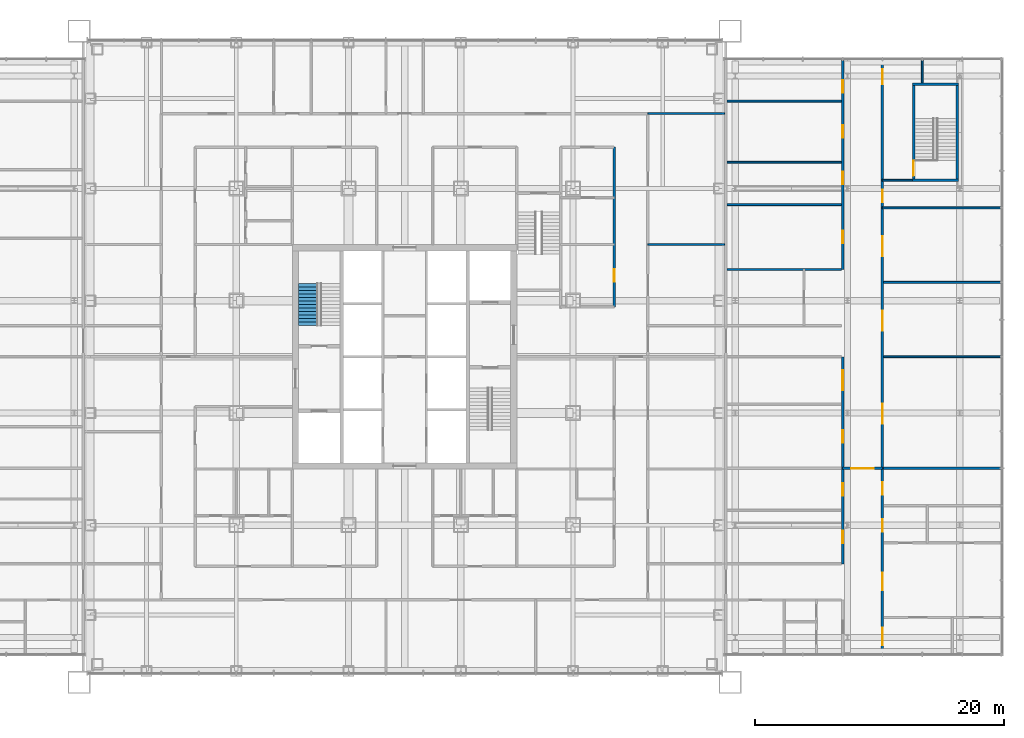
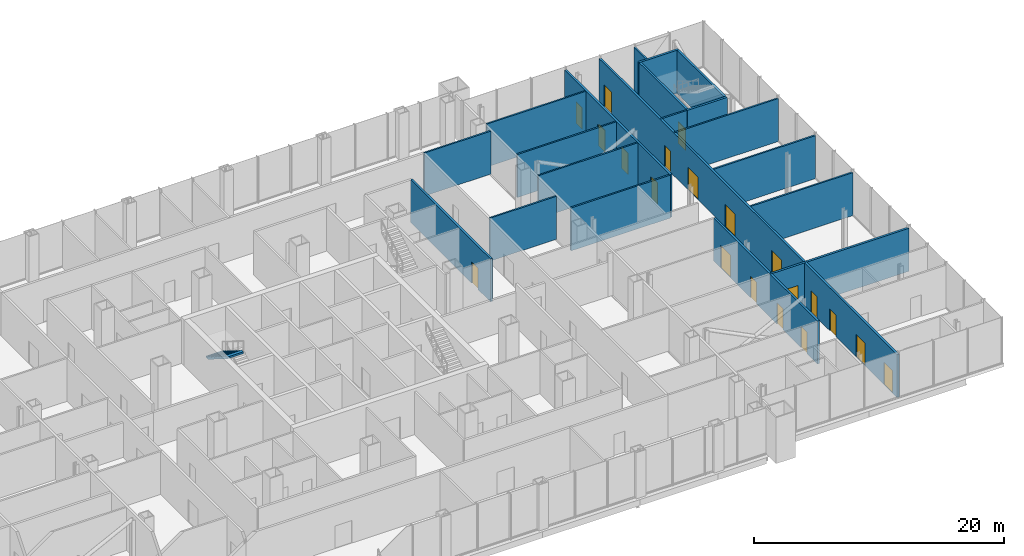
# One storey, part 20 of 25: 21 walls, 20 doors, 1 stair flight, 20 openings, 1 element without a shape of its own.
"""IFC4 building model written with IfcOpenShell, lengths in metres."""

from ifc_helpers import new_model, si_unit, direction, frame, frame_2d, origin, place, context, subcontext, project, spatial, polyline, rectangle, outline, extrude, material, layer, layer_set, type_object, element, fill, aggregate, save


model = new_model("IFC4")

# Units and contexts
model_context = context("Model", 3, precision=1e-05, world=origin(), true_north=direction((0.0, 1.0)))
body_context = subcontext(model_context, "Body", "Model", "MODEL_VIEW")
ifc_project = project(units=[si_unit("LENGTHUNIT", "METRE"), si_unit("AREAUNIT", "SQUARE_METRE"), si_unit("VOLUMEUNIT", "CUBIC_METRE"), si_unit("PLANEANGLEUNIT", "RADIAN"), si_unit("MASSUNIT", "GRAM", prefix="KILO")], contexts=[model_context])

# Site, building, storey
site_placement = place(None, origin())
site = spatial("IfcSite", under=ifc_project, at=site_placement, CompositionType="ELEMENT")
building_placement = place(site_placement, origin())
building = spatial("IfcBuilding", under=site, at=building_placement, Name="Malebo Sky Hospital", CompositionType="ELEMENT")
storey_placement = place(building_placement, frame((0.0, 0.0, 16.5)))
storey = spatial("IfcBuildingStorey", under=building, at=storey_placement, Name="L03", CompositionType="ELEMENT", Elevation=16.5)

# Wall, opening, door
ifc_material_1 = material(Name="Gypsum board on steel studs", Category="steel")
ifc_layer_1 = layer(ifc_material_1, 0.199951171875)
ifc_layer_set_1 = layer_set([ifc_layer_1], Name="CORRIDOR WALL 200")
wall_type_1 = type_object("IfcWallType", Name="CORRIDOR WALL 200", PredefinedType="PARTITIONING", material=ifc_layer_set_1)
wall_1_placement = place(storey_placement, frame((76.800048828125, 78.800048828125, 0.0), z_axis=(0.0, 0.0, 1.0), x_axis=(0.0, -1.0, 0.0)))
wall_1 = element("IfcWall", 1, at=wall_1_placement, inside=storey, type_object=wall_type_1, Name="Corridor Wall 200 ECI1", PredefinedType="PARTITIONING", context=body_context, shape_type="SweptSolid", body=[
    extrude(rectangle(XDim=12.800048828125, YDim=0.199951171875, at=frame_2d((6.39990234375, 0.0))), origin(), (0.0, 0.0, 1.0), 4.199951171875),
])
opening_1_placement = place(wall_1_placement, frame((9.800048828125, 0.0, 0.0)))
opening_1 = element("IfcOpeningElement", 2, at=opening_1_placement, cuts=wall_1, Name="Opening D03", PredefinedType="OPENING", context=body_context, shape_type="SweptSolid", body=[
    extrude(rectangle(XDim=1.0, YDim=2.10009765625, at=frame_2d((0.5, 1.050048828125))), frame((0.0, 0.10986328125, 0.0), z_axis=(0.0, -1.0, 0.0), x_axis=(1.0, 0.0, 0.0)), (0.0, 0.0, 1.0), 0.219970703125),
])
ifc_material_2 = material(Name="Hardwood-faced door leaf in steel frame", Category="steel")
door_type_1 = type_object("IfcDoorType", Name="ROOM DOOR 1000", OperationType="SINGLE_SWING_LEFT", PredefinedType="DOOR", material=ifc_material_2)
door_1_placement = place(opening_1_placement, origin())
door_1 = element("IfcDoor", 3, at=door_1_placement, inside=storey, type_object=door_type_1, Name="Linen store door", OperationType="SINGLE_SWING_LEFT", OverallHeight=2.10009765625, OverallWidth=1.0, PredefinedType="DOOR", context=body_context, shape_type="SweptSolid", body=[
    extrude(rectangle(XDim=1.0, YDim=2.10009765625, at=frame_2d((0.5, 1.050048828125))), frame((0.0, 0.02490234375, 0.0), z_axis=(0.0, -1.0, 0.0), x_axis=(1.0, 0.0, 0.0)), (0.0, 0.0, 1.0), 0.050048828125),
])
fill(opening_1, door_1)

# Wall, openings, doors
wall_2_placement = place(storey_placement, frame((98.306884765625, 38.14990234375, 0.0), z_axis=(0.0, 0.0, 1.0), x_axis=(0.0, 1.0, 0.0)))
wall_2 = element("IfcWall", 4, at=wall_2_placement, inside=storey, type_object=wall_type_1, Name="Corridor Wall 200 EWC1", PredefinedType="PARTITIONING", context=body_context, shape_type="SweptSolid", body=[
    extrude(rectangle(XDim=47.7001953125, YDim=0.199951171875, at=frame_2d((23.85009765625, 0.0))), origin(), (0.0, 0.0, 1.0), 4.199951171875),
])
opening_2_placement = place(wall_2_placement, frame((45.699951171875, 0.0, 0.0)))
opening_2 = element("IfcOpeningElement", 5, at=opening_2_placement, cuts=wall_2, Name="Opening D08", PredefinedType="OPENING", context=body_context, shape_type="SweptSolid", body=[
    extrude(rectangle(XDim=1.199951171875, YDim=2.10009765625, at=frame_2d((0.60009765625, 1.050048828125))), frame((0.0, 0.10986328125, 0.0), z_axis=(0.0, -1.0, 0.0), x_axis=(1.0, 0.0, 0.0)), (0.0, 0.0, 1.0), 0.219970703125),
])
opening_3_placement = place(wall_2_placement, frame((36.24365234375, 0.0, 0.0)))
opening_3 = element("IfcOpeningElement", 6, at=opening_3_placement, cuts=wall_2, Name="Opening D03", PredefinedType="OPENING", context=body_context, shape_type="SweptSolid", body=[
    extrude(rectangle(XDim=1.0, YDim=2.10009765625, at=frame_2d((0.5, 1.050048828125))), frame((0.0, 0.10986328125, 0.0), z_axis=(0.0, -1.0, 0.0), x_axis=(1.0, 0.0, 0.0)), (0.0, 0.0, 1.0), 0.219970703125),
])
opening_4_placement = place(wall_2_placement, frame((0.729736328125, 0.0, 0.0)))
opening_4 = element("IfcOpeningElement", 7, at=opening_4_placement, cuts=wall_2, Name="Opening D25", PredefinedType="OPENING", context=body_context, shape_type="SweptSolid", body=[
    extrude(rectangle(XDim=1.39990234375, YDim=2.199951171875, at=frame_2d((0.699951171875, 1.10009765625))), frame((0.0, 0.10986328125, 0.0), z_axis=(0.0, -1.0, 0.0), x_axis=(1.0, 0.0, 0.0)), (0.0, 0.0, 1.0), 0.219970703125),
])
opening_5_placement = place(wall_2_placement, frame((5.143798828125, 0.0, 0.0)))
opening_5 = element("IfcOpeningElement", 8, at=opening_5_placement, cuts=wall_2, Name="Opening D25", PredefinedType="OPENING", context=body_context, shape_type="SweptSolid", body=[
    extrude(rectangle(XDim=1.39990234375, YDim=2.199951171875, at=frame_2d((0.699951171875, 1.10009765625))), frame((0.0, 0.10986328125, 0.0), z_axis=(0.0, -1.0, 0.0), x_axis=(1.0, 0.0, 0.0)), (0.0, 0.0, 1.0), 0.219970703125),
])
opening_6_placement = place(wall_2_placement, frame((9.8203125, 0.0, 0.0)))
opening_6 = element("IfcOpeningElement", 9, at=opening_6_placement, cuts=wall_2, Name="Opening D03", PredefinedType="OPENING", context=body_context, shape_type="SweptSolid", body=[
    extrude(rectangle(XDim=1.0, YDim=2.10009765625, at=frame_2d((0.5, 1.050048828125))), frame((0.0, 0.10986328125, 0.0), z_axis=(0.0, -1.0, 0.0), x_axis=(1.0, 0.0, 0.0)), (0.0, 0.0, 1.0), 0.219970703125),
])
opening_7_placement = place(wall_2_placement, frame((12.8046875, 0.0, 0.0)))
opening_7 = element("IfcOpeningElement", 10, at=opening_7_placement, cuts=wall_2, Name="Opening D03", PredefinedType="OPENING", context=body_context, shape_type="SweptSolid", body=[
    extrude(rectangle(XDim=1.0, YDim=2.10009765625, at=frame_2d((0.5, 1.050048828125))), frame((0.0, 0.10986328125, 0.0), z_axis=(0.0, -1.0, 0.0), x_axis=(1.0, 0.0, 0.0)), (0.0, 0.0, 1.0), 0.219970703125),
])
opening_8_placement = place(wall_2_placement, frame((18.473388671875, 0.0, 0.0)))
opening_8 = element("IfcOpeningElement", 11, at=opening_8_placement, cuts=wall_2, Name="Opening D14", PredefinedType="OPENING", context=body_context, shape_type="SweptSolid", body=[
    extrude(rectangle(XDim=1.60009765625, YDim=2.199951171875, at=frame_2d((0.800048828125, 1.10009765625))), frame((0.0, 0.10986328125, 0.0), z_axis=(0.0, -1.0, 0.0), x_axis=(1.0, 0.0, 0.0)), (0.0, 0.0, 1.0), 0.219970703125),
])
opening_9_placement = place(wall_2_placement, frame((25.934326171875, 0.0, 0.0)))
opening_9 = element("IfcOpeningElement", 12, at=opening_9_placement, cuts=wall_2, Name="Opening D14", PredefinedType="OPENING", context=body_context, shape_type="SweptSolid", body=[
    extrude(rectangle(XDim=1.60009765625, YDim=2.199951171875, at=frame_2d((0.800048828125, 1.10009765625))), frame((0.0, 0.10986328125, 0.0), z_axis=(0.0, -1.0, 0.0), x_axis=(1.0, 0.0, 0.0)), (0.0, 0.0, 1.0), 0.219970703125),
])
opening_10_placement = place(wall_2_placement, frame((31.9033203125, 0.0, 0.0)))
opening_10 = element("IfcOpeningElement", 13, at=opening_10_placement, cuts=wall_2, Name="Opening D14", PredefinedType="OPENING", context=body_context, shape_type="SweptSolid", body=[
    extrude(rectangle(XDim=1.60009765625, YDim=2.199951171875, at=frame_2d((0.800048828125, 1.10009765625))), frame((0.0, 0.10986328125, 0.0), z_axis=(0.0, -1.0, 0.0), x_axis=(1.0, 0.0, 0.0)), (0.0, 0.0, 1.0), 0.219970703125),
])
door_type_2 = type_object("IfcDoorType", Name="BED DOOR PAIR 1400", OperationType="DOUBLE_DOOR_SINGLE_SWING", PredefinedType="DOOR", material=ifc_material_2)
door_2_placement = place(opening_4_placement, origin())
door_2 = element("IfcDoor", 14, at=door_2_placement, inside=storey, type_object=door_type_2, Name="Anaesthetic room door", OperationType="DOUBLE_DOOR_SINGLE_SWING", OverallHeight=2.199951171875, OverallWidth=1.39990234375, PredefinedType="DOOR", context=body_context, shape_type="SweptSolid", body=[
    extrude(rectangle(XDim=1.39990234375, YDim=2.199951171875, at=frame_2d((0.699951171875, 1.10009765625))), frame((0.0, 0.02490234375, 0.0), z_axis=(0.0, -1.0, 0.0), x_axis=(1.0, 0.0, 0.0)), (0.0, 0.0, 1.0), 0.050048828125),
])
fill(opening_4, door_2)
door_3_placement = place(opening_5_placement, origin())
door_3 = element("IfcDoor", 15, at=door_3_placement, inside=storey, type_object=door_type_2, Name="Day surgery theatre door", OperationType="DOUBLE_DOOR_SINGLE_SWING", OverallHeight=2.199951171875, OverallWidth=1.39990234375, PredefinedType="DOOR", context=body_context, shape_type="SweptSolid", body=[
    extrude(rectangle(XDim=1.39990234375, YDim=2.199951171875, at=frame_2d((0.699951171875, 1.10009765625))), frame((0.0, 0.02490234375, 0.0), z_axis=(0.0, -1.0, 0.0), x_axis=(1.0, 0.0, 0.0)), (0.0, 0.0, 1.0), 0.050048828125),
])
fill(opening_5, door_3)
door_type_3 = type_object("IfcDoorType", Name="DEPARTMENT DOOR PAIR 1600", OperationType="DOUBLE_DOOR_DOUBLE_SWING", PredefinedType="DOOR", material=ifc_material_2)
door_4_placement = place(opening_8_placement, origin())
door_4 = element("IfcDoor", 16, at=door_4_placement, inside=storey, type_object=door_type_3, Name="Day surgery recovery door", OperationType="DOUBLE_DOOR_DOUBLE_SWING", OverallHeight=2.199951171875, OverallWidth=1.60009765625, PredefinedType="DOOR", context=body_context, shape_type="SweptSolid", body=[
    extrude(rectangle(XDim=1.60009765625, YDim=2.199951171875, at=frame_2d((0.800048828125, 1.10009765625))), frame((0.0, 0.02490234375, 0.0), z_axis=(0.0, -1.0, 0.0), x_axis=(1.0, 0.0, 0.0)), (0.0, 0.0, 1.0), 0.050048828125),
])
fill(opening_8, door_4)
door_5_placement = place(opening_9_placement, origin())
door_5 = element("IfcDoor", 17, at=door_5_placement, inside=storey, type_object=door_type_3, Name="Second-stage recovery door", OperationType="DOUBLE_DOOR_DOUBLE_SWING", OverallHeight=2.199951171875, OverallWidth=1.60009765625, PredefinedType="DOOR", context=body_context, shape_type="SweptSolid", body=[
    extrude(rectangle(XDim=1.60009765625, YDim=2.199951171875, at=frame_2d((0.800048828125, 1.10009765625))), frame((0.0, 0.02490234375, 0.0), z_axis=(0.0, -1.0, 0.0), x_axis=(1.0, 0.0, 0.0)), (0.0, 0.0, 1.0), 0.050048828125),
])
fill(opening_9, door_5)
door_6_placement = place(opening_10_placement, origin())
door_6 = element("IfcDoor", 18, at=door_6_placement, inside=storey, type_object=door_type_3, Name="Discharge lounge door", OperationType="DOUBLE_DOOR_DOUBLE_SWING", OverallHeight=2.199951171875, OverallWidth=1.60009765625, PredefinedType="DOOR", context=body_context, shape_type="SweptSolid", body=[
    extrude(rectangle(XDim=1.60009765625, YDim=2.199951171875, at=frame_2d((0.800048828125, 1.10009765625))), frame((0.0, 0.02490234375, 0.0), z_axis=(0.0, -1.0, 0.0), x_axis=(1.0, 0.0, 0.0)), (0.0, 0.0, 1.0), 0.050048828125),
])
fill(opening_10, door_6)
door_7_placement = place(opening_3_placement, origin())
door_7 = element("IfcDoor", 19, at=door_7_placement, inside=storey, type_object=door_type_1, Name="Day surgery equipment store door", OperationType="SINGLE_SWING_LEFT", OverallHeight=2.10009765625, OverallWidth=1.0, PredefinedType="DOOR", context=body_context, shape_type="SweptSolid", body=[
    extrude(rectangle(XDim=1.0, YDim=2.10009765625, at=frame_2d((0.5, 1.050048828125))), frame((0.0, 0.02490234375, 0.0), z_axis=(0.0, -1.0, 0.0), x_axis=(1.0, 0.0, 0.0)), (0.0, 0.0, 1.0), 0.050048828125),
])
fill(opening_3, door_7)
door_8_placement = place(opening_6_placement, origin())
door_8 = element("IfcDoor", 20, at=door_8_placement, inside=storey, type_object=door_type_1, Name="Scrub room door", OperationType="SINGLE_SWING_LEFT", OverallHeight=2.10009765625, OverallWidth=1.0, PredefinedType="DOOR", context=body_context, shape_type="SweptSolid", body=[
    extrude(rectangle(XDim=1.0, YDim=2.10009765625, at=frame_2d((0.5, 1.050048828125))), frame((0.0, 0.02490234375, 0.0), z_axis=(0.0, -1.0, 0.0), x_axis=(1.0, 0.0, 0.0)), (0.0, 0.0, 1.0), 0.050048828125),
])
fill(opening_6, door_8)
door_9_placement = place(opening_7_placement, origin())
door_9 = element("IfcDoor", 21, at=door_9_placement, inside=storey, type_object=door_type_1, Name="Patient changing room door", OperationType="SINGLE_SWING_LEFT", OverallHeight=2.10009765625, OverallWidth=1.0, PredefinedType="DOOR", context=body_context, shape_type="SweptSolid", body=[
    extrude(rectangle(XDim=1.0, YDim=2.10009765625, at=frame_2d((0.5, 1.050048828125))), frame((0.0, 0.02490234375, 0.0), z_axis=(0.0, -1.0, 0.0), x_axis=(1.0, 0.0, 0.0)), (0.0, 0.0, 1.0), 0.050048828125),
])
fill(opening_7, door_9)
door_type_4 = type_object("IfcDoorType", Name="STAIR DOOR 1200", OperationType="SINGLE_SWING_LEFT", PredefinedType="DOOR", material=ifc_material_2)
door_10_placement = place(opening_2_placement, origin())
door_10 = element("IfcDoor", 22, at=door_10_placement, inside=storey, type_object=door_type_4, Name="Stair lobby door", OperationType="SINGLE_SWING_RIGHT", OverallHeight=2.10009765625, OverallWidth=1.199951171875, PredefinedType="DOOR", context=body_context, shape_type="SweptSolid", body=[
    extrude(rectangle(XDim=1.199951171875, YDim=2.10009765625, at=frame_2d((0.60009765625, 1.050048828125))), frame((0.0, 0.02490234375, 0.0), z_axis=(0.0, -1.0, 0.0), x_axis=(1.0, 0.0, 0.0)), (0.0, 0.0, 1.0), 0.050048828125),
])
fill(opening_2, door_10)

wall_3_placement = place(storey_placement, frame((95.117919921875, 45.39990234375, 0.0), z_axis=(0.0, 0.0, 1.0), x_axis=(0.0, 1.0, 0.0)))
wall_3 = element("IfcWall", 23, at=wall_3_placement, inside=storey, type_object=wall_type_1, Name="Corridor Wall 200 EWC2B", PredefinedType="PARTITIONING", context=body_context, shape_type="SweptSolid", body=[
    extrude(rectangle(XDim=16.60009765625, YDim=0.199951171875, at=frame_2d((8.300048828125, 0.0))), origin(), (0.0, 0.0, 1.0), 4.199951171875),
])
opening_11_placement = place(wall_3_placement, frame((1.64990234375, 0.0, 0.0)))
opening_11 = element("IfcOpeningElement", 24, at=opening_11_placement, cuts=wall_3, Name="Opening D03", PredefinedType="OPENING", context=body_context, shape_type="SweptSolid", body=[
    extrude(rectangle(XDim=1.0, YDim=2.10009765625, at=frame_2d((0.5, 1.050048828125))), frame((0.0, 0.10986328125, 0.0), z_axis=(0.0, -1.0, 0.0), x_axis=(1.0, 0.0, 0.0)), (0.0, 0.0, 1.0), 0.219970703125),
])
opening_12_placement = place(wall_3_placement, frame((5.473388671875, 0.0, 0.0)))
opening_12 = element("IfcOpeningElement", 25, at=opening_12_placement, cuts=wall_3, Name="Opening D03", PredefinedType="OPENING", context=body_context, shape_type="SweptSolid", body=[
    extrude(rectangle(XDim=1.0, YDim=2.10009765625, at=frame_2d((0.5, 1.050048828125))), frame((0.0, 0.10986328125, 0.0), z_axis=(0.0, -1.0, 0.0), x_axis=(1.0, 0.0, 0.0)), (0.0, 0.0, 1.0), 0.219970703125),
])
opening_13_placement = place(wall_3_placement, frame((9.723388671875, 0.0, 0.0)))
opening_13 = element("IfcOpeningElement", 26, at=opening_13_placement, cuts=wall_3, Name="Opening D03", PredefinedType="OPENING", context=body_context, shape_type="SweptSolid", body=[
    extrude(rectangle(XDim=1.0, YDim=2.10009765625, at=frame_2d((0.5, 1.050048828125))), frame((0.0, 0.10986328125, 0.0), z_axis=(0.0, -1.0, 0.0), x_axis=(1.0, 0.0, 0.0)), (0.0, 0.0, 1.0), 0.219970703125),
])
opening_14_placement = place(wall_3_placement, frame((13.89990234375, 0.0, 0.0)))
opening_14 = element("IfcOpeningElement", 27, at=opening_14_placement, cuts=wall_3, Name="Opening D14", PredefinedType="OPENING", context=body_context, shape_type="SweptSolid", body=[
    extrude(rectangle(XDim=1.60009765625, YDim=2.199951171875, at=frame_2d((0.800048828125, 1.10009765625))), frame((0.0, 0.10986328125, 0.0), z_axis=(0.0, -1.0, 0.0), x_axis=(1.0, 0.0, 0.0)), (0.0, 0.0, 1.0), 0.219970703125),
])
door_11_placement = place(opening_14_placement, origin())
door_11 = element("IfcDoor", 28, at=door_11_placement, inside=storey, type_object=door_type_3, Name="Day surgery reception door", OperationType="DOUBLE_DOOR_DOUBLE_SWING", OverallHeight=2.199951171875, OverallWidth=1.60009765625, PredefinedType="DOOR", context=body_context, shape_type="SweptSolid", body=[
    extrude(rectangle(XDim=1.60009765625, YDim=2.199951171875, at=frame_2d((0.800048828125, 1.10009765625))), frame((0.0, 0.02490234375, 0.0), z_axis=(0.0, -1.0, 0.0), x_axis=(1.0, 0.0, 0.0)), (0.0, 0.0, 1.0), 0.050048828125),
])
fill(opening_14, door_11)
door_12_placement = place(opening_11_placement, origin())
door_12 = element("IfcDoor", 29, at=door_12_placement, inside=storey, type_object=door_type_1, Name="Day surgery admission room door", OperationType="SINGLE_SWING_LEFT", OverallHeight=2.10009765625, OverallWidth=1.0, PredefinedType="DOOR", context=body_context, shape_type="SweptSolid", body=[
    extrude(rectangle(XDim=1.0, YDim=2.10009765625, at=frame_2d((0.5, 1.050048828125))), frame((0.0, 0.02490234375, 0.0), z_axis=(0.0, -1.0, 0.0), x_axis=(1.0, 0.0, 0.0)), (0.0, 0.0, 1.0), 0.050048828125),
])
fill(opening_11, door_12)
door_13_placement = place(opening_12_placement, origin())
door_13 = element("IfcDoor", 30, at=door_13_placement, inside=storey, type_object=door_type_1, Name="Day surgery admission room door", OperationType="SINGLE_SWING_RIGHT", OverallHeight=2.10009765625, OverallWidth=1.0, PredefinedType="DOOR", context=body_context, shape_type="SweptSolid", body=[
    extrude(rectangle(XDim=1.0, YDim=2.10009765625, at=frame_2d((0.5, 1.050048828125))), frame((0.0, 0.02490234375, 0.0), z_axis=(0.0, -1.0, 0.0), x_axis=(1.0, 0.0, 0.0)), (0.0, 0.0, 1.0), 0.050048828125),
])
fill(opening_12, door_13)
door_14_placement = place(opening_13_placement, origin())
door_14 = element("IfcDoor", 31, at=door_14_placement, inside=storey, type_object=door_type_1, Name="Day surgery store door", OperationType="SINGLE_SWING_LEFT", OverallHeight=2.10009765625, OverallWidth=1.0, PredefinedType="DOOR", context=body_context, shape_type="SweptSolid", body=[
    extrude(rectangle(XDim=1.0, YDim=2.10009765625, at=frame_2d((0.5, 1.050048828125))), frame((0.0, 0.02490234375, 0.0), z_axis=(0.0, -1.0, 0.0), x_axis=(1.0, 0.0, 0.0)), (0.0, 0.0, 1.0), 0.050048828125),
])
fill(opening_13, door_14)

wall_4_placement = place(storey_placement, frame((95.117919921875, 69.0, 0.0), z_axis=(0.0, 0.0, 1.0), x_axis=(0.0, 1.0, 0.0)))
wall_4 = element("IfcWall", 32, at=wall_4_placement, inside=storey, type_object=wall_type_1, Name="Corridor Wall 200 EWC2C", PredefinedType="PARTITIONING", context=body_context, shape_type="SweptSolid", body=[
    extrude(rectangle(XDim=16.85009765625, YDim=0.199951171875, at=frame_2d((8.425048828125, 0.0))), origin(), (0.0, 0.0, 1.0), 4.199951171875),
])
opening_15_placement = place(wall_4_placement, frame((2.10009765625, 0.0, 0.0)))
opening_15 = element("IfcOpeningElement", 33, at=opening_15_placement, cuts=wall_4, Name="Opening D03", PredefinedType="OPENING", context=body_context, shape_type="SweptSolid", body=[
    extrude(rectangle(XDim=1.0, YDim=2.10009765625, at=frame_2d((0.5, 1.050048828125))), frame((0.0, 0.10986328125, 0.0), z_axis=(0.0, -1.0, 0.0), x_axis=(1.0, 0.0, 0.0)), (0.0, 0.0, 1.0), 0.219970703125),
])
opening_16_placement = place(wall_4_placement, frame((6.85009765625, 0.0, 0.0)))
opening_16 = element("IfcOpeningElement", 34, at=opening_16_placement, cuts=wall_4, Name="Opening D03", PredefinedType="OPENING", context=body_context, shape_type="SweptSolid", body=[
    extrude(rectangle(XDim=1.0, YDim=2.10009765625, at=frame_2d((0.5, 1.050048828125))), frame((0.0, 0.10986328125, 0.0), z_axis=(0.0, -1.0, 0.0), x_axis=(1.0, 0.0, 0.0)), (0.0, 0.0, 1.0), 0.219970703125),
])
opening_17_placement = place(wall_4_placement, frame((10.550048828125, 0.0, 0.0)))
opening_17 = element("IfcOpeningElement", 35, at=opening_17_placement, cuts=wall_4, Name="Opening D03", PredefinedType="OPENING", context=body_context, shape_type="SweptSolid", body=[
    extrude(rectangle(XDim=1.0, YDim=2.10009765625, at=frame_2d((0.5, 1.050048828125))), frame((0.0, 0.10986328125, 0.0), z_axis=(0.0, -1.0, 0.0), x_axis=(1.0, 0.0, 0.0)), (0.0, 0.0, 1.0), 0.219970703125),
])
opening_18_placement = place(wall_4_placement, frame((14.175048828125, 0.0, 0.0)))
opening_18 = element("IfcOpeningElement", 36, at=opening_18_placement, cuts=wall_4, Name="Opening D03", PredefinedType="OPENING", context=body_context, shape_type="SweptSolid", body=[
    extrude(rectangle(XDim=1.0, YDim=2.10009765625, at=frame_2d((0.5, 1.050048828125))), frame((0.0, 0.10986328125, 0.0), z_axis=(0.0, -1.0, 0.0), x_axis=(1.0, 0.0, 0.0)), (0.0, 0.0, 1.0), 0.219970703125),
])
door_15_placement = place(opening_15_placement, origin())
door_15 = element("IfcDoor", 37, at=door_15_placement, inside=storey, type_object=door_type_1, Name="Day surgery consulting room door", OperationType="SINGLE_SWING_LEFT", OverallHeight=2.10009765625, OverallWidth=1.0, PredefinedType="DOOR", context=body_context, shape_type="SweptSolid", body=[
    extrude(rectangle(XDim=1.0, YDim=2.10009765625, at=frame_2d((0.5, 1.050048828125))), frame((0.0, 0.02490234375, 0.0), z_axis=(0.0, -1.0, 0.0), x_axis=(1.0, 0.0, 0.0)), (0.0, 0.0, 1.0), 0.050048828125),
])
fill(opening_15, door_15)
door_16_placement = place(opening_16_placement, origin())
door_16 = element("IfcDoor", 38, at=door_16_placement, inside=storey, type_object=door_type_1, Name="Clean utility room door", OperationType="SINGLE_SWING_RIGHT", OverallHeight=2.10009765625, OverallWidth=1.0, PredefinedType="DOOR", context=body_context, shape_type="SweptSolid", body=[
    extrude(rectangle(XDim=1.0, YDim=2.10009765625, at=frame_2d((0.5, 1.050048828125))), frame((0.0, 0.02490234375, 0.0), z_axis=(0.0, -1.0, 0.0), x_axis=(1.0, 0.0, 0.0)), (0.0, 0.0, 1.0), 0.050048828125),
])
fill(opening_16, door_16)
door_17_placement = place(opening_17_placement, origin())
door_17 = element("IfcDoor", 39, at=door_17_placement, inside=storey, type_object=door_type_1, Name="Dirty utility room door", OperationType="SINGLE_SWING_LEFT", OverallHeight=2.10009765625, OverallWidth=1.0, PredefinedType="DOOR", context=body_context, shape_type="SweptSolid", body=[
    extrude(rectangle(XDim=1.0, YDim=2.10009765625, at=frame_2d((0.5, 1.050048828125))), frame((0.0, 0.02490234375, 0.0), z_axis=(0.0, -1.0, 0.0), x_axis=(1.0, 0.0, 0.0)), (0.0, 0.0, 1.0), 0.050048828125),
])
fill(opening_17, door_17)
door_18_placement = place(opening_18_placement, origin())
door_18 = element("IfcDoor", 40, at=door_18_placement, inside=storey, type_object=door_type_1, Name="Day surgery linen store door", OperationType="SINGLE_SWING_LEFT", OverallHeight=2.10009765625, OverallWidth=1.0, PredefinedType="DOOR", context=body_context, shape_type="SweptSolid", body=[
    extrude(rectangle(XDim=1.0, YDim=2.10009765625, at=frame_2d((0.5, 1.050048828125))), frame((0.0, 0.02490234375, 0.0), z_axis=(0.0, -1.0, 0.0), x_axis=(1.0, 0.0, 0.0)), (0.0, 0.0, 1.0), 0.050048828125),
])
fill(opening_18, door_18)

# Walls
ifc_layer_2 = layer(ifc_material_1, 0.14990234375)
ifc_layer_set_2 = layer_set([ifc_layer_2], Name="PARTITION 150")
wall_type_2 = type_object("IfcWallType", Name="PARTITION 150", PredefinedType="PARTITIONING", material=ifc_layer_set_2)
for number, where, z_axis, x_axis, name in (
    (41, (79.5, 81.5, 0.0), (0.0, 0.0, 1.0), (1.0, 0.0, 0.0), "Partition 150 EP-19.5"),
    (42, (79.5, 71.0, 0.0), (0.0, 0.0, 1.0), (1.0, 0.0, 0.0), "Partition 150 EP-9.0"),
):
    element("IfcWall", number, at=place(storey_placement, frame(where, z_axis=z_axis, x_axis=x_axis)), inside=storey, type_object=wall_type_2, Name=name, PredefinedType="PARTITIONING", context=body_context, shape_type="SweptSolid", body=[
        extrude(rectangle(XDim=6.14990234375, YDim=0.14990234375, at=frame_2d((3.074951171875, 0.0))), origin(), (0.0, 0.0, 1.0), 4.199951171875),
    ])
wall_5_placement = place(storey_placement, frame((100.699951171875, 76.14990234375, 0.0), z_axis=(0.0, 0.0, 1.0), x_axis=(-1.0, 0.0, 0.0)))
element("IfcWall", 43, at=wall_5_placement, inside=storey, type_object=wall_type_2, Name="Partition 150 ELS", PredefinedType="PARTITIONING", context=body_context, shape_type="SweptSolid", body=[
    extrude(rectangle(XDim=2.39306640625, YDim=0.14990234375, at=frame_2d((1.196533203125, 0.0))), origin(), (0.0, 0.0, 1.0), 4.199951171875),
])
wall_6_placement = place(storey_placement, frame((101.49609375, 83.949951171875, 0.0), z_axis=(0.0, 0.0, 1.0), x_axis=(0.0, 1.0, 0.0)))
element("IfcWall", 44, at=wall_6_placement, inside=storey, type_object=wall_type_2, Name="Partition 150 ELW", PredefinedType="PARTITIONING", context=body_context, shape_type="SweptSolid", body=[
    extrude(rectangle(XDim=1.900146484375, YDim=0.14990234375, at=frame_2d((0.9501953125, 0.0))), origin(), (0.0, 0.0, 1.0), 4.199951171875),
])
wall_7_placement = place(storey_placement, frame((107.85009765625, 73.9375, 0.0), z_axis=(0.0, 0.0, 1.0), x_axis=(-1.0, 0.0, 0.0)))
element("IfcWall", 45, at=wall_7_placement, inside=storey, type_object=wall_type_2, Name="Partition 150 ESP", PredefinedType="PARTITIONING", context=body_context, shape_type="SweptSolid", body=[
    extrude(rectangle(XDim=9.543212890625, YDim=0.14990234375, at=frame_2d((4.771484375, 0.0))), origin(), (0.0, 0.0, 1.0), 4.199951171875),
])
for number, where, z_axis, x_axis, name in (
    (46, (107.85009765625, 62.0, 0.0), (0.0, 0.0, 1.0), (-1.0, 0.0, 0.0), "Partition 150 EOH04"),
    (47, (107.85009765625, 67.96875, 0.0), (0.0, 0.0, 1.0), (-1.0, 0.0, 0.0), "Partition 150 EOH05"),
):
    element("IfcWall", number, at=place(storey_placement, frame(where, z_axis=z_axis, x_axis=x_axis)), inside=storey, type_object=wall_type_2, Name=name, PredefinedType="PARTITIONING", context=body_context, shape_type="SweptSolid", body=[
        extrude(rectangle(XDim=9.443115234375, YDim=0.14990234375, at=frame_2d((4.7216796875, 0.0))), origin(), (0.0, 0.0, 1.0), 4.199951171875),
    ])
for number, where, z_axis, x_axis, name in (
    (48, (95.01806640625, 69.0, 0.0), (0.0, 0.0, 1.0), (-1.0, 0.0, 0.0), "Partition 150 EIH08"),
    (49, (95.01806640625, 74.199951171875, 0.0), (0.0, 0.0, 1.0), (-1.0, 0.0, 0.0), "Partition 150 EIH09"),
    (50, (95.01806640625, 77.60009765625, 0.0), (0.0, 0.0, 1.0), (-1.0, 0.0, 0.0), "Partition 150 EIH10"),
    (51, (95.01806640625, 82.5, 0.0), (0.0, 0.0, 1.0), (-1.0, 0.0, 0.0), "Partition 150 EIH11"),
):
    element("IfcWall", number, at=place(storey_placement, frame(where, z_axis=z_axis, x_axis=x_axis)), inside=storey, type_object=wall_type_2, Name=name, PredefinedType="PARTITIONING", context=body_context, shape_type="SweptSolid", body=[
        extrude(rectangle(XDim=9.16796875, YDim=0.14990234375, at=frame_2d((4.583984375, 0.0))), origin(), (0.0, 0.0, 1.0), 4.199951171875),
    ])

# Wall, opening, door
ifc_material_3 = material(Name="Concrete blockwork", Category="masonry")
ifc_layer_3 = layer(ifc_material_3, 0.199951171875)
ifc_layer_set_3 = layer_set([ifc_layer_3], Name="SMOKE BARRIER WALL 200")
wall_type_3 = type_object("IfcWallType", Name="SMOKE BARRIER WALL 200", PredefinedType="SOLIDWALL", material=ifc_layer_set_3)
wall_8_placement = place(storey_placement, frame((98.306884765625, 53.046875, 0.0), z_axis=(0.0, 0.0, 1.0), x_axis=(-1.0, 0.0, 0.0)))
wall_8 = element("IfcWall", 52, at=wall_8_placement, inside=storey, type_object=wall_type_3, Name="Smoke Barrier Wall 200 EWSB", PredefinedType="SOLIDWALL", context=body_context, shape_type="SweptSolid", body=[
    extrude(rectangle(XDim=3.18896484375, YDim=0.199951171875, at=frame_2d((1.594482421875, 0.0))), origin(), (0.0, 0.0, 1.0), 4.199951171875),
])
opening_19_placement = place(wall_8_placement, frame((0.694580078125, 0.0, 0.0)))
opening_19 = element("IfcOpeningElement", 53, at=opening_19_placement, cuts=wall_8, Name="Opening D05", PredefinedType="OPENING", context=body_context, shape_type="SweptSolid", body=[
    extrude(rectangle(XDim=1.800048828125, YDim=2.199951171875, at=frame_2d((0.89990234375, 1.10009765625))), frame((0.0, 0.10986328125, 0.0), z_axis=(0.0, -1.0, 0.0), x_axis=(1.0, 0.0, 0.0)), (0.0, 0.0, 1.0), 0.219970703125),
])
door_type_5 = type_object("IfcDoorType", Name="SMOKE DOOR PAIR 1800", OperationType="DOUBLE_DOOR_DOUBLE_SWING", PredefinedType="DOOR", material=ifc_material_2)
door_19_placement = place(opening_19_placement, origin())
door_19 = element("IfcDoor", 54, at=door_19_placement, inside=storey, type_object=door_type_5, Name="Smoke compartment door pair", OperationType="DOUBLE_DOOR_DOUBLE_SWING", OverallHeight=2.199951171875, OverallWidth=1.800048828125, PredefinedType="DOOR", context=body_context, shape_type="SweptSolid", body=[
    extrude(rectangle(XDim=1.800048828125, YDim=2.199951171875, at=frame_2d((0.89990234375, 1.10009765625))), frame((0.0, 0.02490234375, 0.0), z_axis=(0.0, -1.0, 0.0), x_axis=(1.0, 0.0, 0.0)), (0.0, 0.0, 1.0), 0.050048828125),
])
fill(opening_19, door_19)

# Walls
wall_9_placement = place(storey_placement, frame((107.85009765625, 53.046875, 0.0), z_axis=(0.0, 0.0, 1.0), x_axis=(-1.0, 0.0, 0.0)))
element("IfcWall", 55, at=wall_9_placement, inside=storey, type_object=wall_type_3, Name="Smoke Barrier Wall 200 EOH03", PredefinedType="SOLIDWALL", context=body_context, shape_type="SweptSolid", body=[
    extrude(rectangle(XDim=9.443115234375, YDim=0.199951171875, at=frame_2d((4.7216796875, 0.0))), origin(), (0.0, 0.0, 1.0), 4.199951171875),
])
ifc_material_4 = material(Name="Concrete C40/50", Category="concrete")
ifc_layer_4 = layer(ifc_material_4, 0.199951171875)
ifc_layer_set_4 = layer_set([ifc_layer_4], Name="STAIR ENCLOSURE WALL 200")
wall_type_4 = type_object("IfcWallType", Name="STAIR ENCLOSURE WALL 200", PredefinedType="SOLIDWALL", material=ifc_layer_set_4)
for number, where, z_axis, x_axis, name in (
    (56, (100.699951171875, 76.14990234375, 0.0), (0.0, 0.0, 1.0), (1.0, 0.0, 0.0), "Stair Enclosure Wall 200 ESS"),
    (57, (100.699951171875, 83.85009765625, 0.0), (0.0, 0.0, 1.0), (1.0, 0.0, 0.0), "Stair Enclosure Wall 200 ESN"),
):
    element("IfcWall", number, at=place(storey_placement, frame(where, z_axis=z_axis, x_axis=x_axis)), inside=storey, type_object=wall_type_4, Name=name, PredefinedType="SOLIDWALL", context=body_context, shape_type="SweptSolid", body=[
        extrude(rectangle(XDim=3.699951171875, YDim=0.199951171875, at=frame_2d((1.85009765625, 0.0))), origin(), (0.0, 0.0, 1.0), 4.199951171875),
    ])

# Wall, opening, door
wall_10_placement = place(storey_placement, frame((100.800048828125, 76.25, 0.0), z_axis=(0.0, 0.0, 1.0), x_axis=(0.0, 1.0, 0.0)))
wall_10 = element("IfcWall", 58, at=wall_10_placement, inside=storey, type_object=wall_type_4, Name="Stair Enclosure Wall 200 ESW", PredefinedType="SOLIDWALL", context=body_context, shape_type="SweptSolid", body=[
    extrude(rectangle(XDim=7.5, YDim=0.199951171875, at=frame_2d((3.75, 0.0))), origin(), (0.0, 0.0, 1.0), 4.199951171875),
])
opening_20_placement = place(wall_10_placement, frame((0.25, 0.0, 0.0)))
opening_20 = element("IfcOpeningElement", 59, at=opening_20_placement, cuts=wall_10, Name="Opening D08", PredefinedType="OPENING", context=body_context, shape_type="SweptSolid", body=[
    extrude(rectangle(XDim=1.199951171875, YDim=2.10009765625, at=frame_2d((0.60009765625, 1.050048828125))), frame((0.0, 0.10986328125, 0.0), z_axis=(0.0, -1.0, 0.0), x_axis=(1.0, 0.0, 0.0)), (0.0, 0.0, 1.0), 0.219970703125),
])
door_20_placement = place(opening_20_placement, origin())
door_20 = element("IfcDoor", 60, at=door_20_placement, inside=storey, type_object=door_type_4, Name="Stair ES door", OperationType="SINGLE_SWING_LEFT", OverallHeight=2.10009765625, OverallWidth=1.199951171875, PredefinedType="DOOR", context=body_context, shape_type="SweptSolid", body=[
    extrude(rectangle(XDim=1.199951171875, YDim=2.10009765625, at=frame_2d((0.60009765625, 1.050048828125))), frame((0.0, 0.02490234375, 0.0), z_axis=(0.0, -1.0, 0.0), x_axis=(1.0, 0.0, 0.0)), (0.0, 0.0, 1.0), 0.050048828125),
])
fill(opening_20, door_20)

# Wall
wall_11_placement = place(storey_placement, frame((104.300048828125, 76.25, 0.0), z_axis=(0.0, 0.0, 1.0), x_axis=(0.0, 1.0, 0.0)))
element("IfcWall", 61, at=wall_11_placement, inside=storey, type_object=wall_type_4, Name="Stair Enclosure Wall 200 ESE", PredefinedType="SOLIDWALL", context=body_context, shape_type="SweptSolid", body=[
    extrude(rectangle(XDim=7.5, YDim=0.199951171875, at=frame_2d((3.75, 0.0))), origin(), (0.0, 0.0, 1.0), 4.199951171875),
])

# Stair, stair flight
stair_type = type_object("IfcStairType", Name="HALF-TURN STAIR 1500 R173", PredefinedType="HALF_TURN_STAIR", material=ifc_material_4)
stair_placement = place(storey_placement, origin())
stair = element("IfcStair", 62, at=stair_placement, inside=storey, type_object=stair_type, Name="Stair S1 L03 type ST3", PredefinedType="HALF_TURN_STAIR")
stair_flight_type = type_object("IfcStairFlightType", Name="STAIR FLIGHT 1500 R173", PredefinedType="STRAIGHT", material=ifc_material_4)
stair_flight_placement = place(storey_placement, frame((52.25, 67.860107421875, 2.25), z_axis=(0.0, 0.0, 1.0), x_axis=(0.0, -1.0, 0.0)))
stair_flight = element("IfcStairFlight", 63, at=stair_flight_placement, type_object=stair_flight_type, Name="S1 flight 2 type SF3", NumberOfRisers=13, NumberOfTreads=12, PredefinedType="STRAIGHT", RiserHeight=0.173076923, TreadLength=0.28, context=body_context, shape_type="SweptSolid", body=[
    extrude(outline(polyline([(0.0, 0.0), (0.0, 0.173095703125), (0.280029296875, 0.173095703125), (0.280029296875, 0.34619140625), (0.56005859375, 0.34619140625), (0.56005859375, 0.519287109375), (0.840087890625, 0.519287109375), (0.840087890625, 0.6923828125), (1.1201171875, 0.6923828125), (1.1201171875, 0.865478515625), (1.39990234375, 0.865478515625), (1.39990234375, 1.03857421875), (1.679931640625, 1.03857421875), (1.679931640625, 1.21142578125), (1.9599609375, 1.21142578125), (1.9599609375, 1.384521484375), (2.239990234375, 1.384521484375), (2.239990234375, 1.5576171875), (2.52001953125, 1.5576171875), (2.52001953125, 1.730712890625), (2.800048828125, 1.730712890625), (2.800048828125, 1.90380859375), (3.080078125, 1.90380859375), (3.080078125, 2.076904296875), (3.360107421875, 2.076904296875), (3.360107421875, 2.25), (3.360107421875, 1.900634765625), (0.28515625, 0.0), (0.0, 0.0)])), frame((0.0, 0.75, 0.0), z_axis=(0.0, -1.0, 0.0), x_axis=(1.0, 0.0, 0.0)), (0.0, 0.0, 1.0), 1.5),
])
aggregate(stair, [stair_flight])

save(model, "model.ifc")
